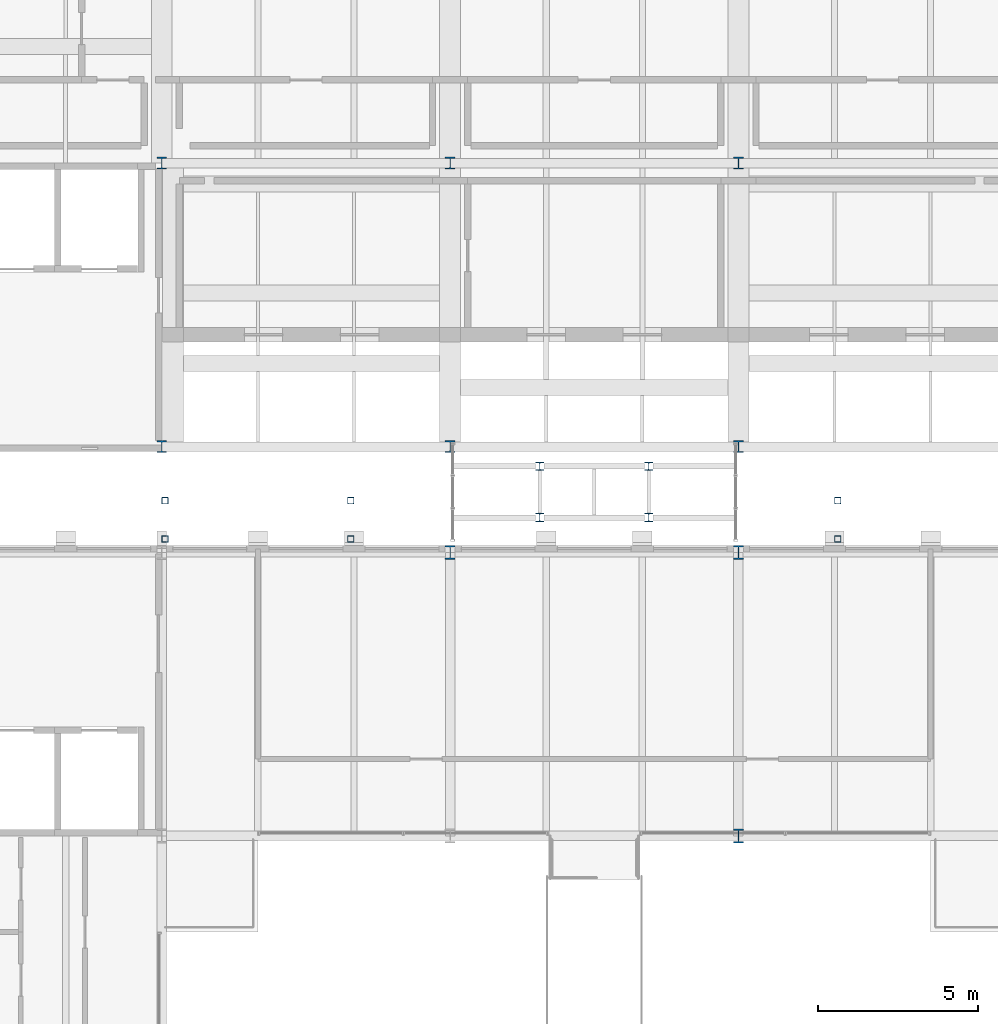
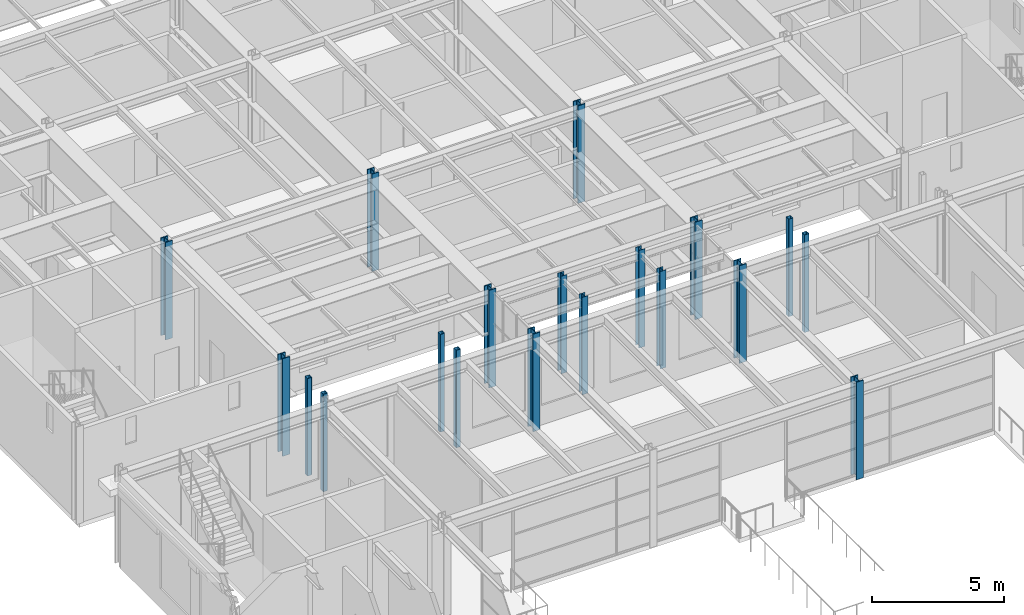
# One storey, part 11 of 153: 19 columns.
"""IFC4 building model written with IfcOpenShell, lengths in metres."""

from ifc_helpers import new_model, si_unit, direction, frame, origin, origin_2d, place, context, subcontext, project, spatial, hollow_rectangle, i_section, extrude, material, material_profile, profile_set, type_object, element, save


model = new_model("IFC4")

# Units and contexts
model_context = context("Model", 3, precision=1e-05, world=origin(), true_north=direction((0.0, 1.0)))
body_context = subcontext(model_context, "Body", "Model", "MODEL_VIEW")
ifc_project = project(units=[si_unit("LENGTHUNIT", "METRE"), si_unit("AREAUNIT", "SQUARE_METRE"), si_unit("VOLUMEUNIT", "CUBIC_METRE"), si_unit("PLANEANGLEUNIT", "RADIAN"), si_unit("MASSUNIT", "GRAM", prefix="KILO")], contexts=[model_context])

# Site, building, storey
site_placement = place(None, origin())
site = spatial("IfcSite", under=ifc_project, at=site_placement, CompositionType="ELEMENT")
building_placement = place(site_placement, origin())
building = spatial("IfcBuilding", under=site, at=building_placement, Name="Kallimachos Central Library", CompositionType="ELEMENT")
storey_placement = place(building_placement, frame((0.0, 0.0, 5.39990234375)))
storey = spatial("IfcBuildingStorey", under=building, at=storey_placement, Name="L01", CompositionType="ELEMENT", Elevation=5.39990234375)

# Columns
ifc_material_1 = material(Name="Steel S355J2", Category="steel")
ifc_material_profile_1 = material_profile(ifc_material_1, i_section(OverallWidth=0.260009765625, OverallDepth=0.260009765625, WebThickness=0.010009765625, FlangeThickness=0.017578125, FilletRadius=0.02392578125, at=origin_2d()), Name="HEB 260")
ifc_profile_set_1 = profile_set([ifc_material_profile_1], Name="Steel S355J2")
column_type_1 = type_object("IfcColumnType", Name="HEB 260 column", PredefinedType="COLUMN", material=ifc_profile_set_1)
for number, where, z_axis, x_axis, name in (
    (1, (86.300048828125, 84.9375, 0.0), (0.0, 0.0, 1.0), (1.0, 0.0, 0.0), "Reading Link column"),
    (2, (86.300048828125, 86.53759765625, 0.0), (0.0, 0.0, 1.0), (1.0, 0.0, 0.0), "Reading Link column"),
    (3, (89.699951171875, 84.9375, 0.0), (0.0, 0.0, 1.0), (1.0, 0.0, 0.0), "Reading Link column"),
    (4, (89.699951171875, 86.53759765625, 0.0), (0.0, 0.0, 1.0), (1.0, 0.0, 0.0), "Reading Link column"),
):
    element("IfcColumn", number, at=place(storey_placement, frame(where, z_axis=z_axis, x_axis=x_axis)), inside=storey, type_object=column_type_1, Name=name, PredefinedType="COLUMN", context=body_context, shape_type="SweptSolid", body=[
        extrude(i_section(OverallWidth=0.260009765625, OverallDepth=0.260009765625, WebThickness=0.010009765625, FlangeThickness=0.017578125, FilletRadius=0.02392578125, at=origin_2d()), origin(), (0.0, 0.0, 1.0), 4.5),
    ])
ifc_material_2 = material(Name="Steel S355J2", Category="steel")
ifc_material_profile_2 = material_profile(ifc_material_2, i_section(OverallWidth=0.30908203125, OverallDepth=0.376953125, WebThickness=0.02099609375, FlangeThickness=0.0400390625, FilletRadius=0.027099609375, at=origin_2d()), Name="HEM 340")
ifc_profile_set_2 = profile_set([ifc_material_profile_2], Name="Steel S355J2")
column_type_2 = type_object("IfcColumnType", Name="HEM 340 column", PredefinedType="COLUMN", material=ifc_profile_set_2)
for number, where, z_axis, x_axis, name in (
    (5, (74.5, 87.14990234375, 0.0), (0.0, 0.0, 1.0), (1.0, 0.0, 0.0), "V1-COL-L01-002"),
    (6, (83.5, 87.14990234375, 0.0), (0.0, 0.0, 1.0), (1.0, 0.0, 0.0), "V1-COL-L01-003"),
    (7, (92.5, 87.14990234375, 0.0), (0.0, 0.0, 1.0), (1.0, 0.0, 0.0), "V1-COL-L01-004"),
    (8, (74.5, 96.0, 0.0), (0.0, 0.0, 1.0), (1.0, 0.0, 0.0), "V1-COL-L01-008"),
    (9, (83.5, 96.0, 0.0), (0.0, 0.0, 1.0), (1.0, 0.0, 0.0), "V1-COL-L01-009"),
    (10, (92.5, 96.0, 0.0), (0.0, 0.0, 1.0), (1.0, 0.0, 0.0), "V1-COL-L01-010"),
):
    element("IfcColumn", number, at=place(storey_placement, frame(where, z_axis=z_axis, x_axis=x_axis)), inside=storey, type_object=column_type_2, Name=name, PredefinedType="COLUMN", context=body_context, shape_type="SweptSolid", body=[
        extrude(i_section(OverallWidth=0.30908203125, OverallDepth=0.376953125, WebThickness=0.02099609375, FlangeThickness=0.0400390625, FilletRadius=0.027099609375, at=origin_2d()), origin(), (0.0, 0.0, 1.0), 4.5),
    ])
ifc_material_3 = material(Name="Steel S355J2", Category="steel")
ifc_material_profile_3 = material_profile(ifc_material_3, i_section(OverallWidth=0.306884765625, OverallDepth=0.431884765625, WebThickness=0.02099609375, FlangeThickness=0.0400390625, FilletRadius=0.027099609375, at=origin_2d()), Name="HEM 400")
ifc_profile_set_3 = profile_set([ifc_material_profile_3], Name="Steel S355J2")
column_type_3 = type_object("IfcColumnType", Name="HEM 400 column", PredefinedType="COLUMN", material=ifc_profile_set_3)
for number, where, z_axis, x_axis, name in (
    (11, (92.5, 75.0, 0.0), (0.0, 0.0, 1.0), (1.0, 0.0, 0.0), "V4-COL-L01-022"),
    (12, (83.5, 83.85009765625, 0.0), (0.0, 0.0, 1.0), (1.0, 0.0, 0.0), "V4-COL-L01-027"),
    (13, (92.5, 83.85009765625, 0.0), (0.0, 0.0, 1.0), (1.0, 0.0, 0.0), "V4-COL-L01-028"),
):
    element("IfcColumn", number, at=place(storey_placement, frame(where, z_axis=z_axis, x_axis=x_axis)), inside=storey, type_object=column_type_3, Name=name, PredefinedType="COLUMN", context=body_context, shape_type="SweptSolid", body=[
        extrude(i_section(OverallWidth=0.306884765625, OverallDepth=0.431884765625, WebThickness=0.02099609375, FlangeThickness=0.0400390625, FilletRadius=0.027099609375, at=origin_2d()), origin(), (0.0, 0.0, 1.0), 4.5),
    ])
ifc_material_4 = material(Name="Steel S355J2H", Category="steel")
ifc_material_profile_4 = material_profile(ifc_material_4, hollow_rectangle(XDim=0.199951171875, YDim=0.199951171875, WallThickness=0.010009765625, InnerFilletRadius=0.010009765625, OuterFilletRadius=0.014892578125, at=origin_2d()), Name="SHS 200x200x10")
ifc_profile_set_4 = profile_set([ifc_material_profile_4], Name="Steel S355J2H")
column_type_4 = type_object("IfcColumnType", Name="SHS 200x200x10 column", PredefinedType="COLUMN", material=ifc_profile_set_4)
for number, where, z_axis, x_axis, name in (
    (14, (74.60009765625, 84.26611328125, 0.0), (0.0, 0.0, 1.0), (1.0, 0.0, 0.0), "Tribune bay N1 column 1"),
    (15, (80.39990234375, 84.26611328125, 0.0), (0.0, 0.0, 1.0), (1.0, 0.0, 0.0), "Tribune bay N1 column 2"),
    (16, (74.60009765625, 85.466064453125, 0.0), (0.0, 0.0, 1.0), (1.0, 0.0, 0.0), "Tribune bay N1 column 3"),
    (17, (80.39990234375, 85.466064453125, 0.0), (0.0, 0.0, 1.0), (1.0, 0.0, 0.0), "Tribune bay N1 column 4"),
    (18, (95.60009765625, 84.26611328125, 0.0), (0.0, 0.0, 1.0), (1.0, 0.0, 0.0), "Tribune bay N2 column 1"),
    (19, (95.60009765625, 85.466064453125, 0.0), (0.0, 0.0, 1.0), (1.0, 0.0, 0.0), "Tribune bay N2 column 3"),
):
    element("IfcColumn", number, at=place(storey_placement, frame(where, z_axis=z_axis, x_axis=x_axis)), inside=storey, type_object=column_type_4, Name=name, PredefinedType="COLUMN", context=body_context, shape_type="SweptSolid", body=[
        extrude(hollow_rectangle(XDim=0.199951171875, YDim=0.199951171875, WallThickness=0.010009765625, InnerFilletRadius=0.010009765625, OuterFilletRadius=0.014892578125, at=origin_2d()), origin(), (0.0, 0.0, 1.0), 4.5),
    ])

save(model, "model.ifc")
